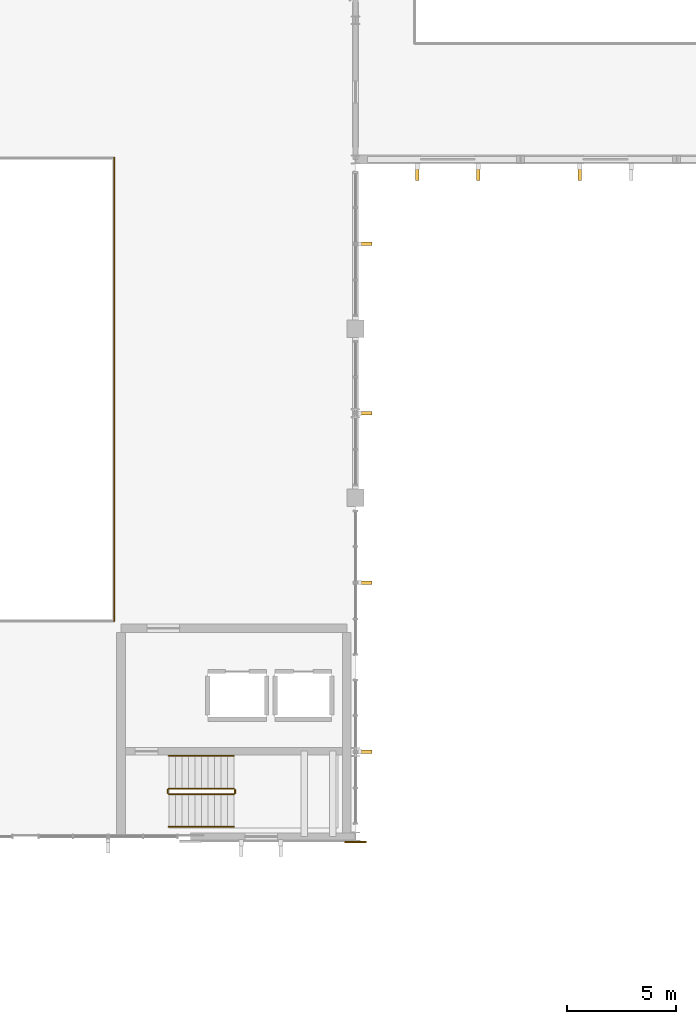
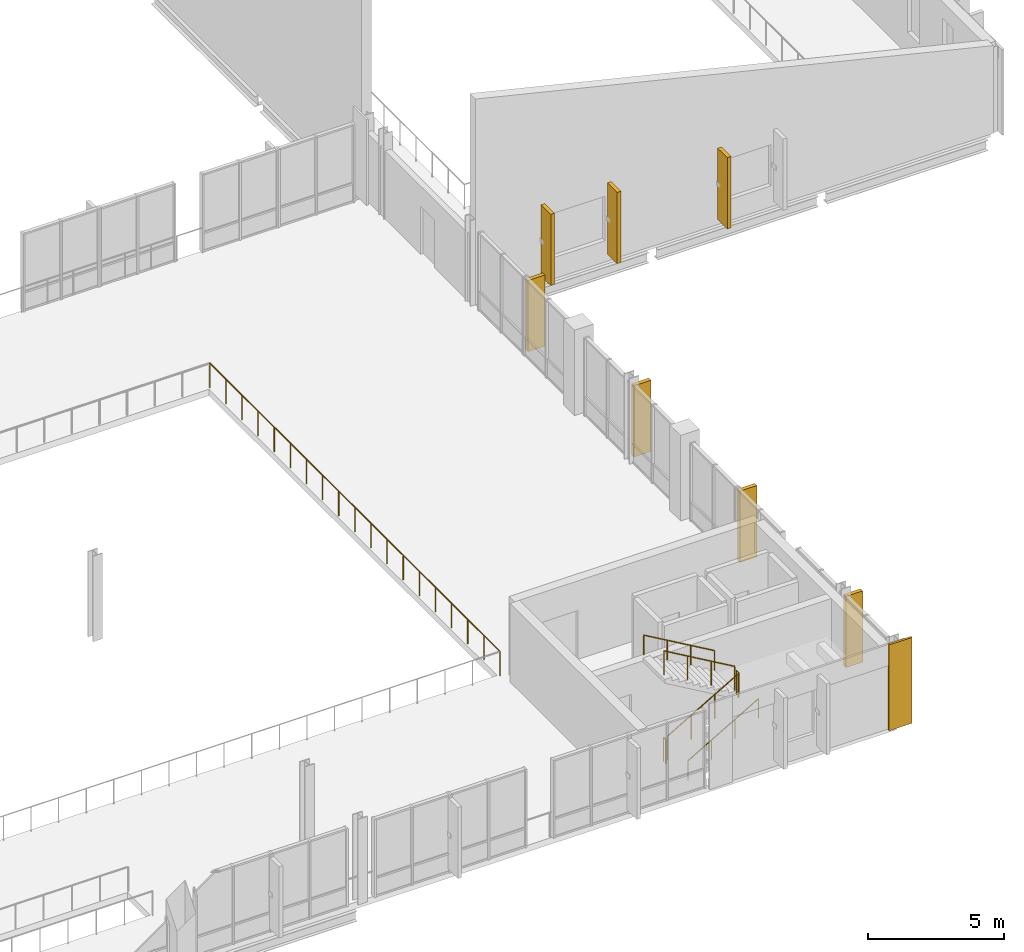
# One storey, part 63 of 64: 7 railings, 7 shading devices, 1 covering.
"""IFC4 building model written with IfcOpenShell, lengths in metres."""

from ifc_helpers import new_model, si_unit, direction, frame, origin, origin_2d, place, context, subcontext, project, spatial, rectangle, circle, extrude, material, layer, layer_set, type_object, element, save


model = new_model("IFC4")

# Units and contexts
model_context = context("Model", 3, precision=1e-05, world=origin(), true_north=direction((0.0, 1.0)))
body_context = subcontext(model_context, "Body", "Model", "MODEL_VIEW")
ifc_project = project(units=[si_unit("LENGTHUNIT", "METRE"), si_unit("AREAUNIT", "SQUARE_METRE"), si_unit("VOLUMEUNIT", "CUBIC_METRE"), si_unit("PLANEANGLEUNIT", "RADIAN"), si_unit("MASSUNIT", "GRAM", prefix="KILO")], contexts=[model_context])

# Site, building, storey
site_placement = place(None, origin())
site = spatial("IfcSite", under=ifc_project, at=site_placement, CompositionType="ELEMENT")
building_placement = place(site_placement, origin())
building = spatial("IfcBuilding", under=site, at=building_placement, Name="Vervanel Yard Central Library", CompositionType="ELEMENT")
storey_placement = place(building_placement, frame((0.0, 0.0, 8.93994140625)))
storey = spatial("IfcBuildingStorey", under=building, at=storey_placement, Name="L02", CompositionType="ELEMENT", Elevation=8.93994140625)

# Railings
ifc_material_1 = material(Name="Brushed stainless steel AISI 316", Category="steel")
railing_type_1 = type_object("IfcRailingType", Name="Brushed Stainless Stair Handrail 900", PredefinedType="HANDRAIL", material=ifc_material_1)
railing_1_placement = place(storey_placement, frame((137.39990234375, 43.64990234375, 0.174560546875)))
element("IfcRailing", 1, at=railing_1_placement, inside=storey, type_object=railing_type_1, Name="L02 ST-05 stair handrail 1", PredefinedType="HANDRAIL", context=body_context, shape_type="SweptSolid", body=[
    extrude(circle(Radius=0.02392578125, at=origin_2d()), frame((0.0, 0.0, 0.8759765625), z_axis=(0.864329436341, 0.0, 0.502926063626), x_axis=(0.0, 1.0, 0.0)), (0.0, 0.0, 1.0), 3.470947265625),
    extrude(circle(Radius=0.02099609375, at=origin_2d()), origin(), (0.0, 0.0, 1.0), 0.851806640625),
    extrude(circle(Radius=0.02099609375, at=origin_2d()), frame((1.0, 0.0, 0.581787109375)), (0.0, 0.0, 1.0), 0.851806640625),
    extrude(circle(Radius=0.02099609375, at=origin_2d()), frame((2.0, 0.0, 1.163818359375)), (0.0, 0.0, 1.0), 0.851806640625),
    extrude(circle(Radius=0.02099609375, at=origin_2d()), frame((3.0, 0.0, 1.74560546875)), (0.0, 0.0, 1.0), 0.851806640625),
])
railing_2_placement = place(storey_placement, frame((140.39990234375, 46.909912109375, 2.094482421875)))
element("IfcRailing", 2, at=railing_2_placement, inside=storey, type_object=railing_type_1, Name="L02 ST-05 stair handrail 2", PredefinedType="HANDRAIL", context=body_context, shape_type="SweptSolid", body=[
    extrude(circle(Radius=0.02392578125, at=origin_2d()), frame((0.0, 0.0, 0.8759765625), z_axis=(-0.864329436341, 0.0, 0.502926063626), x_axis=(0.0, -1.0, 0.0)), (0.0, 0.0, 1.0), 3.470947265625),
    extrude(circle(Radius=0.02099609375, at=origin_2d()), origin(), (0.0, 0.0, 1.0), 0.851806640625),
    extrude(circle(Radius=0.02099609375, at=origin_2d()), frame((-1.0, 0.0, 0.581787109375)), (0.0, 0.0, 1.0), 0.851806640625),
    extrude(circle(Radius=0.02099609375, at=origin_2d()), frame((-2.0, 0.0, 1.163818359375)), (0.0, 0.0, 1.0), 0.851806640625),
    extrude(circle(Radius=0.02099609375, at=origin_2d()), frame((-3.0, 0.0, 1.74560546875)), (0.0, 0.0, 1.0), 0.851806640625),
])

# Covering
ifc_material_2 = material(Name="Precast concrete C45/55", Category="concrete")
ifc_layer = layer(ifc_material_2, 0.0849609375, Category="concrete")
ifc_layer_set = layer_set([ifc_layer], Name="Precast concrete C45/55")
covering_type = type_object("IfcCoveringType", Name="Bush-Hammered Precast Architectural Cladding Panel", PredefinedType="CLADDING", material=ifc_layer_set)
covering_placement = place(storey_placement, frame((146.0, 42.94921875, 0.0), z_axis=(0.0, 0.0, 1.0), x_axis=(1.0, 0.0, 0.0)))
element("IfcCovering", 3, at=covering_placement, inside=storey, type_object=covering_type, Name="L02 Precast Concrete Pier Pilaster EWALL-L02-0164-B", PredefinedType="CLADDING", context=body_context, shape_type="SweptSolid", body=[
    extrude(rectangle(XDim=0.97998046875, YDim=0.0849609375, at=origin_2d()), origin(), (0.0, 0.0, 1.0), 3.860107421875),
])

# Railings
railing_type_2 = type_object("IfcRailingType", Name="Glazed Atrium & Gallery Balustrade 1120", PredefinedType="BALUSTRADE", material=ifc_material_1)
railing_3_placement = place(storey_placement, frame((134.8798828125, 53.1201171875, 0.0)))
element("IfcRailing", 4, at=railing_3_placement, inside=storey, type_object=railing_type_2, Name="L02 Void Guard V3HALL-GD-L02 E", PredefinedType="BALUSTRADE", context=body_context, shape_type="SweptSolid", body=[
    extrude(circle(Radius=0.02392578125, at=origin_2d()), frame((0.0, 0.0, 1.09619140625), z_axis=(0.0, 1.0, 0.0), x_axis=(-1.0, 0.0, 0.0)), (0.0, 0.0, 1.0), 21.35986328125),
    extrude(circle(Radius=0.02099609375, at=origin_2d()), origin(), (0.0, 0.0, 1.0), 1.072021484375),
    extrude(circle(Radius=0.02099609375, at=origin_2d()), frame((0.0, 1.186767578125, 0.0)), (0.0, 0.0, 1.0), 1.072021484375),
    extrude(circle(Radius=0.02099609375, at=origin_2d()), frame((0.0, 2.373291015625, 0.0)), (0.0, 0.0, 1.0), 1.072021484375),
    extrude(circle(Radius=0.02099609375, at=origin_2d()), frame((0.0, 3.56005859375, 0.0)), (0.0, 0.0, 1.0), 1.072021484375),
    extrude(circle(Radius=0.02099609375, at=origin_2d()), frame((0.0, 4.74658203125, 0.0)), (0.0, 0.0, 1.0), 1.072021484375),
    extrude(circle(Radius=0.02099609375, at=origin_2d()), frame((0.0, 5.933349609375, 0.0)), (0.0, 0.0, 1.0), 1.072021484375),
    extrude(circle(Radius=0.02099609375, at=origin_2d()), frame((0.0, 7.119873046875, 0.0)), (0.0, 0.0, 1.0), 1.072021484375),
    extrude(circle(Radius=0.02099609375, at=origin_2d()), frame((0.0, 8.306640625, 0.0)), (0.0, 0.0, 1.0), 1.072021484375),
    extrude(circle(Radius=0.02099609375, at=origin_2d()), frame((0.0, 9.4931640625, 0.0)), (0.0, 0.0, 1.0), 1.072021484375),
    extrude(circle(Radius=0.02099609375, at=origin_2d()), frame((0.0, 10.679931640625, 0.0)), (0.0, 0.0, 1.0), 1.072021484375),
    extrude(circle(Radius=0.02099609375, at=origin_2d()), frame((0.0, 11.86669921875, 0.0)), (0.0, 0.0, 1.0), 1.072021484375),
    extrude(circle(Radius=0.02099609375, at=origin_2d()), frame((0.0, 13.05322265625, 0.0)), (0.0, 0.0, 1.0), 1.072021484375),
    extrude(circle(Radius=0.02099609375, at=origin_2d()), frame((0.0, 14.239990234375, 0.0)), (0.0, 0.0, 1.0), 1.072021484375),
    extrude(circle(Radius=0.02099609375, at=origin_2d()), frame((0.0, 15.426513671875, 0.0)), (0.0, 0.0, 1.0), 1.072021484375),
    extrude(circle(Radius=0.02099609375, at=origin_2d()), frame((0.0, 16.61328125, 0.0)), (0.0, 0.0, 1.0), 1.072021484375),
    extrude(circle(Radius=0.02099609375, at=origin_2d()), frame((0.0, 17.7998046875, 0.0)), (0.0, 0.0, 1.0), 1.072021484375),
    extrude(circle(Radius=0.02099609375, at=origin_2d()), frame((0.0, 18.986572265625, 0.0)), (0.0, 0.0, 1.0), 1.072021484375),
    extrude(circle(Radius=0.02099609375, at=origin_2d()), frame((0.0, 20.173095703125, 0.0)), (0.0, 0.0, 1.0), 1.072021484375),
    extrude(circle(Radius=0.02099609375, at=origin_2d()), frame((0.0, 21.35986328125, 0.0)), (0.0, 0.0, 1.0), 1.072021484375),
])
ifc_material_3 = material(Name="Galvanized painted steelwork ASTM A500 Grade C", Category="steel")
railing_type_3 = type_object("IfcRailingType", Name="Painted Steel Guardrail 1100", PredefinedType="GUARDRAIL", material=ifc_material_3)
railing_4_placement = place(storey_placement, frame((137.39990234375, 45.14990234375, 0.174560546875)))
element("IfcRailing", 5, at=railing_4_placement, inside=storey, type_object=railing_type_3, Name="L02 ST-05 stair guard 1", PredefinedType="GUARDRAIL", context=body_context, shape_type="SweptSolid", body=[
    extrude(circle(Radius=0.02392578125, at=origin_2d()), frame((0.0, 0.0, 1.076171875), z_axis=(0.864329436341, 0.0, 0.502926063626), x_axis=(0.0, 1.0, 0.0)), (0.0, 0.0, 1.0), 3.470947265625),
    extrude(circle(Radius=0.02099609375, at=origin_2d()), origin(), (0.0, 0.0, 1.0), 1.052001953125),
    extrude(circle(Radius=0.02099609375, at=origin_2d()), frame((1.0, 0.0, 0.581787109375)), (0.0, 0.0, 1.0), 1.052001953125),
    extrude(circle(Radius=0.02099609375, at=origin_2d()), frame((2.0, 0.0, 1.163818359375)), (0.0, 0.0, 1.0), 1.052001953125),
    extrude(circle(Radius=0.02099609375, at=origin_2d()), frame((3.0, 0.0, 1.74560546875)), (0.0, 0.0, 1.0), 1.052001953125),
])
railing_5_placement = place(storey_placement, frame((140.449951171875, 45.199951171875, 1.920166015625)))
element("IfcRailing", 6, at=railing_5_placement, inside=storey, type_object=railing_type_3, Name="L02 ST-05 stair guard 2", PredefinedType="GUARDRAIL", context=body_context, shape_type="SweptSolid", body=[
    extrude(circle(Radius=0.02392578125, at=origin_2d()), frame((0.0, 0.0, 1.076171875), z_axis=(0.0, 1.0, 0.0), x_axis=(-1.0, 0.0, 0.0)), (0.0, 0.0, 1.0), 0.16015625),
    extrude(circle(Radius=0.02099609375, at=origin_2d()), origin(), (0.0, 0.0, 1.0), 1.052001953125),
    extrude(circle(Radius=0.02099609375, at=origin_2d()), frame((0.0, 0.16015625, 0.0)), (0.0, 0.0, 1.0), 1.052001953125),
])
railing_6_placement = place(storey_placement, frame((140.39990234375, 45.409912109375, 2.094482421875)))
element("IfcRailing", 7, at=railing_6_placement, inside=storey, type_object=railing_type_3, Name="L02 ST-05 stair guard 3", PredefinedType="GUARDRAIL", context=body_context, shape_type="SweptSolid", body=[
    extrude(circle(Radius=0.02392578125, at=origin_2d()), frame((0.0, 0.0, 1.076171875), z_axis=(-0.864329436341, 0.0, 0.502926063626), x_axis=(0.0, -1.0, 0.0)), (0.0, 0.0, 1.0), 3.470947265625),
    extrude(circle(Radius=0.02099609375, at=origin_2d()), origin(), (0.0, 0.0, 1.0), 1.052001953125),
    extrude(circle(Radius=0.02099609375, at=origin_2d()), frame((-1.0, 0.0, 0.581787109375)), (0.0, 0.0, 1.0), 1.052001953125),
    extrude(circle(Radius=0.02099609375, at=origin_2d()), frame((-2.0, 0.0, 1.163818359375)), (0.0, 0.0, 1.0), 1.052001953125),
    extrude(circle(Radius=0.02099609375, at=origin_2d()), frame((-3.0, 0.0, 1.74560546875)), (0.0, 0.0, 1.0), 1.052001953125),
])
railing_7_placement = place(storey_placement, frame((137.35009765625, 45.199951171875, 0.0)))
element("IfcRailing", 8, at=railing_7_placement, inside=storey, type_object=railing_type_3, Name="L02 ST-05 stair guard 4", PredefinedType="GUARDRAIL", context=body_context, shape_type="SweptSolid", body=[
    extrude(circle(Radius=0.02392578125, at=origin_2d()), frame((0.0, 0.0, 1.076171875), z_axis=(0.0, 1.0, 0.0), x_axis=(-1.0, 0.0, 0.0)), (0.0, 0.0, 1.0), 0.16015625),
    extrude(circle(Radius=0.02099609375, at=origin_2d()), origin(), (0.0, 0.0, 1.0), 1.052001953125),
    extrude(circle(Radius=0.02099609375, at=origin_2d()), frame((0.0, 0.16015625, 0.0)), (0.0, 0.0, 1.0), 1.052001953125),
])

# Shading devices
shading_device_type = type_object("IfcShadingDeviceType", Name="Vertical Precast Solar Fin 160x720x3200", PredefinedType="JALOUSIE", material=ifc_material_2)
for number, where, z_axis, x_axis, name in (
    (9, (146.409912109375, 47.10009765625, 0.1552734375), (0.0, 0.0, 1.0), (0.0, 1.0, 0.0), "L02 Precast Solar Fin 491"),
    (10, (146.409912109375, 54.89990234375, 0.1552734375), (0.0, 0.0, 1.0), (0.0, 1.0, 0.0), "L02 Precast Solar Fin 492"),
    (11, (146.409912109375, 62.699951171875, 0.1552734375), (0.0, 0.0, 1.0), (0.0, 1.0, 0.0), "L02 Precast Solar Fin 493"),
    (12, (146.409912109375, 70.5, 0.1552734375), (0.0, 0.0, 1.0), (0.0, 1.0, 0.0), "L02 Precast Solar Fin 494"),
    (13, (148.840087890625, 73.7900390625, 0.35009765625), (0.0, 0.0, 1.0), (1.0, 0.0, 0.0), "L02 Precast Solar Fin 533"),
    (14, (151.659912109375, 73.7900390625, 0.35009765625), (0.0, 0.0, 1.0), (1.0, 0.0, 0.0), "L02 Precast Solar Fin 534"),
    (15, (156.340087890625, 73.7900390625, 0.27490234375), (0.0, 0.0, 1.0), (1.0, 0.0, 0.0), "L02 Precast Solar Fin 535"),
):
    element("IfcShadingDevice", number, at=place(storey_placement, frame(where, z_axis=z_axis, x_axis=x_axis)), inside=storey, type_object=shading_device_type, Name=name, PredefinedType="JALOUSIE", context=body_context, shape_type="SweptSolid", body=[
        extrude(rectangle(XDim=0.159912109375, YDim=0.719970703125, at=origin_2d()), origin(), (0.0, 0.0, 1.0), 3.199951171875),
    ])

save(model, "model.ifc")
